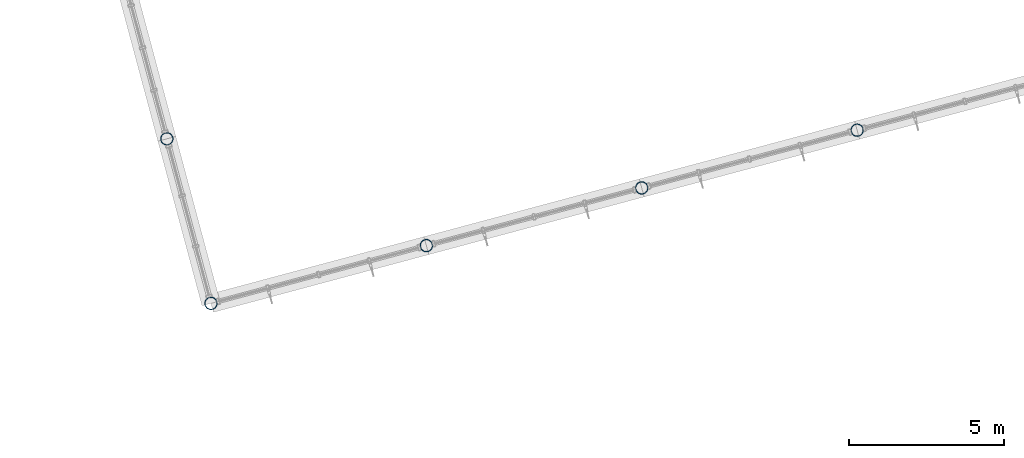
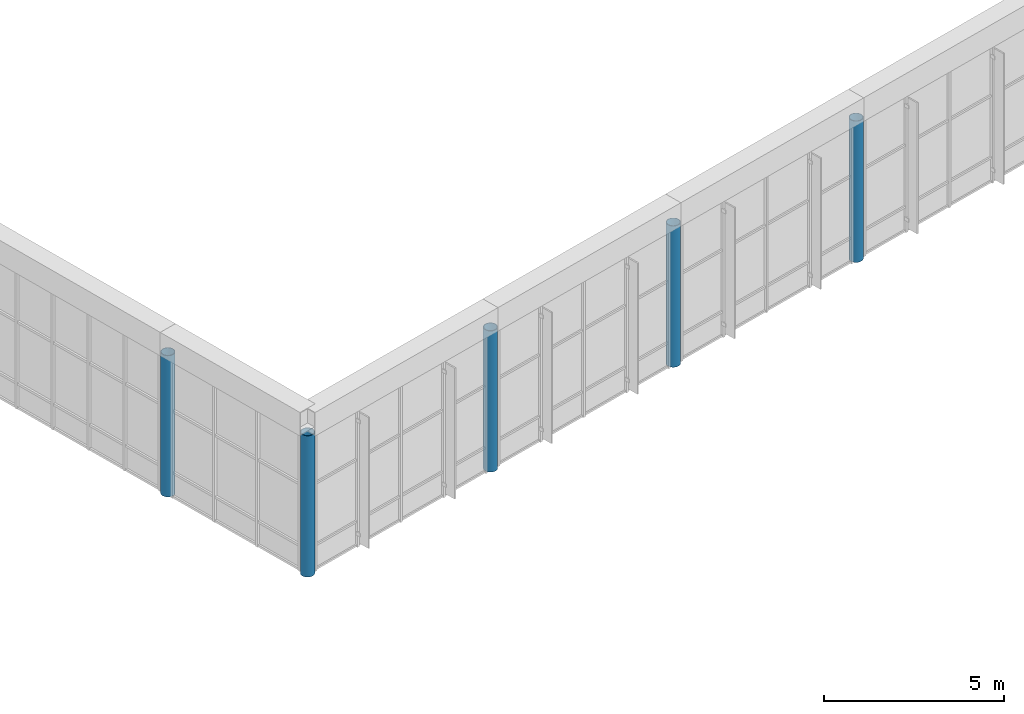
# One storey, part 2 of 55: 5 columns.
"""IFC4 building model written with IfcOpenShell, lengths in metres."""

from ifc_helpers import new_model, si_unit, direction, frame, origin, origin_2d, place, context, subcontext, project, spatial, hollow_circle, extrude, material, material_profile, profile_set, type_object, element, save


model = new_model("IFC4")

# Units and contexts
model_context = context("Model", 3, precision=1e-05, world=origin(), true_north=direction((0.0, 1.0)))
body_context = subcontext(model_context, "Body", "Model", "MODEL_VIEW")
ifc_project = project(units=[si_unit("LENGTHUNIT", "METRE"), si_unit("AREAUNIT", "SQUARE_METRE"), si_unit("VOLUMEUNIT", "CUBIC_METRE"), si_unit("PLANEANGLEUNIT", "RADIAN"), si_unit("MASSUNIT", "GRAM", prefix="KILO")], contexts=[model_context])

# Site, building, storey
site_placement = place(None, origin())
site = spatial("IfcSite", under=ifc_project, at=site_placement, CompositionType="ELEMENT")
building_placement = place(site_placement, origin())
building = spatial("IfcBuilding", under=site, at=building_placement, Name="Ventoquebrada Cableway Terminal", CompositionType="ELEMENT")
storey_placement = place(building_placement, frame((0.0, 0.0, 14.39990234375)))
storey = spatial("IfcBuildingStorey", under=building, at=storey_placement, Name="L03", CompositionType="ELEMENT", Elevation=14.39990234375)

# Columns
ifc_material = material(Name="Steel ASTM A500 Grade C", Category="steel")
ifc_material_profile = material_profile(ifc_material, hollow_circle(Radius=0.203125, WallThickness=0.01611328125, at=origin_2d()), Name="CHS406.4X16")
ifc_profile_set = profile_set([ifc_material_profile], Name="Steel ASTM A500 Grade C")
column_type = type_object("IfcColumnType", Name="COL-ST06", PredefinedType="COLUMN", material=ifc_profile_set)
for number, where, z_axis, x_axis, name in (
    (1, (51.97802734375, 69.783935546875, 0.0), (0.0, 0.0, 1.0), (0.965925826289, 0.258819045103, 0.0), "Structural column FC-0656"),
    (2, (50.553955078125, 75.096923828125, 0.0), (0.0, 0.0, 1.0), (0.965925826289, 0.258819045103, 0.0), "Structural column FC-0661"),
    (3, (58.93310546875, 71.64794921875, 0.0), (0.0, 0.0, 1.0), (0.965925826289, 0.258819045103, 0.0), "Structural column FC-0681"),
    (4, (65.886962890625, 73.510986328125, 0.0), (0.0, 0.0, 1.0), (0.965925826289, 0.258819045103, 0.0), "Structural column FC-0700"),
    (5, (72.842041015625, 75.375, 0.0), (0.0, 0.0, 1.0), (0.965925826289, 0.258819045103, 0.0), "Structural column FC-0719"),
):
    element("IfcColumn", number, at=place(storey_placement, frame(where, z_axis=z_axis, x_axis=x_axis)), inside=storey, type_object=column_type, Name=name, PredefinedType="COLUMN", context=body_context, shape_type="SweptSolid", body=[
        extrude(hollow_circle(Radius=0.203125, WallThickness=0.01611328125, at=origin_2d()), origin(), (0.0, 0.0, 1.0), 4.800048828125),
    ])

save(model, "model.ifc")
